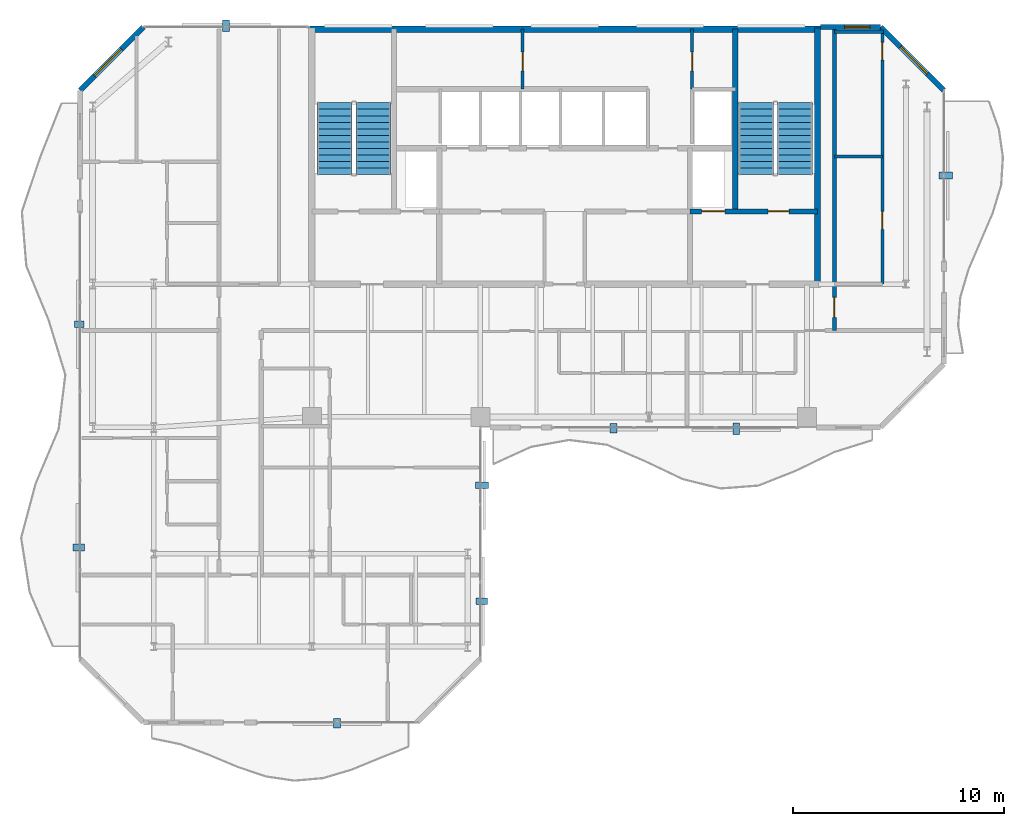
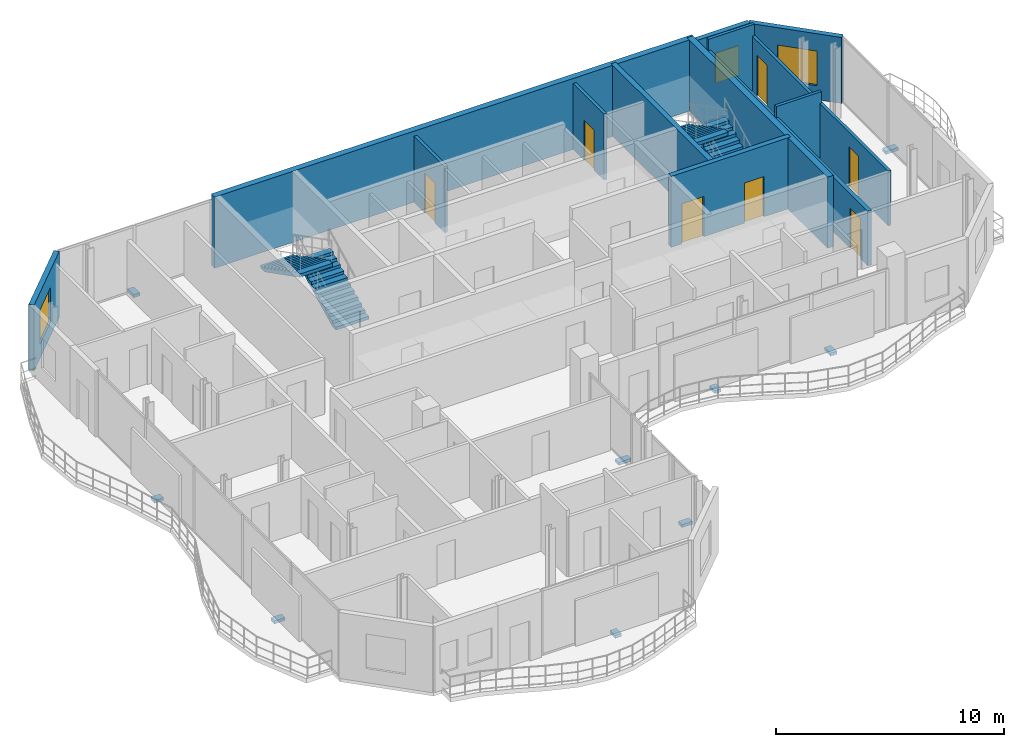
# One storey, part 20 of 22: 13 walls, 9 discrete accessories, 7 doors, 4 stair flights, 3 windows, 10 openings, 2 elements without a shape of their own.
"""IFC4 building model written with IfcOpenShell, lengths in metres."""

from ifc_helpers import new_model, si_unit, direction, frame, frame_2d, origin, origin_2d, place, context, subcontext, project, spatial, polyline, rectangle, outline, extrude, material, layer, layer_set, type_object, element, fill, aggregate, save


model = new_model("IFC4")

# Units and contexts
model_context = context("Model", 3, precision=1e-05, world=origin(), true_north=direction((0.0, 1.0)))
body_context = subcontext(model_context, "Body", "Model", "MODEL_VIEW")
ifc_project = project(units=[si_unit("LENGTHUNIT", "METRE"), si_unit("AREAUNIT", "SQUARE_METRE"), si_unit("VOLUMEUNIT", "CUBIC_METRE"), si_unit("PLANEANGLEUNIT", "RADIAN"), si_unit("MASSUNIT", "GRAM", prefix="KILO")], contexts=[model_context])

# Site, building, storey
site_placement = place(None, origin())
site = spatial("IfcSite", under=ifc_project, at=site_placement, CompositionType="ELEMENT")
building_placement = place(site_placement, origin())
building = spatial("IfcBuilding", under=site, at=building_placement, Name="Catumbela Crestline Tower", CompositionType="ELEMENT")
storey_placement = place(building_placement, frame((0.0, 0.0, 218.4)))
storey = spatial("IfcBuildingStorey", under=building, at=storey_placement, Name="L56", CompositionType="ELEMENT", Elevation=218.4)

# Wall
ifc_material_1 = material(Name="Concrete C50/60", Category="concrete")
ifc_layer_1 = layer(ifc_material_1, 0.25, Name="Concrete C50/60")
ifc_layer_set_1 = layer_set([ifc_layer_1], Name="Concrete C50/60")
wall_type_1 = type_object("IfcWallType", Name="CW-250D", PredefinedType="SHEAR", material=ifc_layer_set_1)
wall_1_placement = place(storey_placement, frame((36.1, 34.25, 0.0), z_axis=(0.0, 0.0, 1.0), x_axis=(0.0, 1.0, 0.0)))
element("IfcWall", 1, at=wall_1_placement, inside=storey, type_object=wall_type_1, Name="L56 Structural Core Shear Wall EWEB", PredefinedType="SHEAR", context=body_context, shape_type="SweptSolid", body=[
    extrude(rectangle(XDim=8.65, YDim=0.25, at=frame_2d((4.325, 0.0))), origin(), (0.0, 0.0, 1.0), 3.8),
])

# Wall, openings, doors
wall_2_placement = place(storey_placement, frame((33.95, 34.25, 0.0), z_axis=(0.0, 0.0, 1.0), x_axis=(1.0, 0.0, 0.0)))
wall_2 = element("IfcWall", 2, at=wall_2_placement, inside=storey, type_object=wall_type_1, Name="L56 Structural Core Shear Wall ST2S", PredefinedType="SHEAR", context=body_context, shape_type="SweptSolid", body=[
    extrude(rectangle(XDim=6.05, YDim=0.25, at=frame_2d((3.025, 0.0))), origin(), (0.0, 0.0, 1.0), 3.8),
])
opening_1_placement = place(wall_2_placement, frame((3.7, 0.0, 0.0)))
opening_1 = element("IfcOpeningElement", 3, at=opening_1_placement, cuts=wall_2, Name="Opening DF9-100", PredefinedType="OPENING", context=body_context, shape_type="SweptSolid", body=[
    extrude(rectangle(XDim=1.0, YDim=2.15, at=frame_2d((0.5, 1.075))), frame((0.0, 0.135, 0.0), z_axis=(0.0, -1.0, 0.0), x_axis=(1.0, 0.0, 0.0)), (0.0, 0.0, 1.0), 0.27),
])
opening_2_placement = place(wall_2_placement, frame((0.55, 0.0, 0.0)))
opening_2 = element("IfcOpeningElement", 4, at=opening_2_placement, cuts=wall_2, Name="Opening LD-110", PredefinedType="OPENING", context=body_context, shape_type="SweptSolid", body=[
    extrude(rectangle(XDim=1.1, YDim=2.15, at=frame_2d((0.55, 1.075))), frame((0.0, 0.135, 0.0), z_axis=(0.0, -1.0, 0.0), x_axis=(1.0, 0.0, 0.0)), (0.0, 0.0, 1.0), 0.27),
])
ifc_material_2 = material(Name="Stainless steel EN 1.4401", Category="steel")
door_type_1 = type_object("IfcDoorType", Name="DF9-100", OperationType="NOTDEFINED", PredefinedType="DOOR", material=ifc_material_2)
door_1_placement = place(opening_1_placement, origin())
door_1 = element("IfcDoor", 5, at=door_1_placement, inside=storey, type_object=door_type_1, Name="L56 Interior Door DR-L56-ST02", OperationType="SINGLE_SWING_RIGHT", OverallHeight=2.15, OverallWidth=1.0, PredefinedType="DOOR", context=body_context, shape_type="SweptSolid", body=[
    extrude(rectangle(XDim=1.0, YDim=2.15, at=frame_2d((0.5, 1.075))), frame((0.0, 0.025, 0.0), z_axis=(0.0, -1.0, 0.0), x_axis=(1.0, 0.0, 0.0)), (0.0, 0.0, 1.0), 0.05),
])
fill(opening_1, door_1)
door_type_2 = type_object("IfcDoorType", Name="LD-110", OperationType="NOTDEFINED", PredefinedType="DOOR", material=ifc_material_2)
door_2_placement = place(opening_2_placement, origin())
door_2 = element("IfcDoor", 6, at=door_2_placement, inside=storey, type_object=door_type_2, Name="L56 Lift Landing Sliding Door FL-02", OperationType="DOUBLE_DOOR_SLIDING", OverallHeight=2.15, OverallWidth=1.1, PredefinedType="DOOR", context=body_context, shape_type="SweptSolid", body=[
    extrude(rectangle(XDim=1.1, YDim=2.15, at=frame_2d((0.55, 1.075))), frame((0.0, 0.025, 0.0), z_axis=(0.0, -1.0, 0.0), x_axis=(1.0, 0.0, 0.0)), (0.0, 0.0, 1.0), 0.05),
])
fill(opening_2, door_2)

# Walls
ifc_material_3 = material(Name="Concrete C45/55", Category="concrete")
ifc_layer_2 = layer(ifc_material_3, 0.3, Name="Concrete C45/55")
ifc_layer_set_2 = layer_set([ifc_layer_2], Name="Concrete C45/55")
wall_type_2 = type_object("IfcWallType", Name="CW-300C", PredefinedType="SHEAR", material=ifc_layer_set_2)
wall_3_placement = place(storey_placement, frame((40.0, 30.65, 0.0), z_axis=(0.0, 0.0, 1.0), x_axis=(0.0, 1.0, 0.0)))
element("IfcWall", 7, at=wall_3_placement, inside=storey, type_object=wall_type_2, Name="L56 Structural Core Shear Wall E", PredefinedType="SHEAR", context=body_context, shape_type="SweptSolid", body=[
    extrude(rectangle(XDim=12.3, YDim=0.3, at=frame_2d((6.15, 0.0))), origin(), (0.0, 0.0, 1.0), 3.8),
])
ifc_layer_3 = layer(ifc_material_3, 0.3, Name="Concrete C45/55")
ifc_layer_set_3 = layer_set([ifc_layer_3], Name="Concrete C45/55")
wall_type_3 = type_object("IfcWallType", Name="CW-300E", PredefinedType="SHEAR", material=ifc_layer_set_3)
wall_4_placement = place(storey_placement, frame((15.85, 42.9, 0.0), z_axis=(0.0, 0.0, 1.0), x_axis=(1.0, 0.0, 0.0)))
element("IfcWall", 8, at=wall_4_placement, inside=storey, type_object=wall_type_3, Name="L56 Structural Core Shear Wall N", PredefinedType="SHEAR", context=body_context, shape_type="SweptSolid", body=[
    extrude(rectangle(XDim=24.3, YDim=0.3, at=frame_2d((12.15, 0.0))), origin(), (0.0, 0.0, 1.0), 3.8),
])

# Wall, opening, door
ifc_material_4 = material(Name="Acoustic gypsum and mineral-wool partition")
ifc_layer_4 = layer(ifc_material_4, 0.2, Name="Acoustic gypsum and mineral-wool partition")
ifc_layer_set_4 = layer_set([ifc_layer_4], Name="Acoustic gypsum and mineral-wool partition")
wall_type_4 = type_object("IfcWallType", Name="WC-200", PredefinedType="PARTITIONING", material=ifc_layer_set_4)
wall_5_placement = place(storey_placement, frame((40.8, 28.6, 0.0), z_axis=(0.0, 0.0, 1.0), x_axis=(0.0, 1.0, 0.0)))
wall_5 = element("IfcWall", 9, at=wall_5_placement, inside=storey, type_object=wall_type_4, Name="L56 Interior Partition PW-L56-NE1-ENT", PredefinedType="PARTITIONING", context=body_context, shape_type="SweptSolid", body=[
    extrude(rectangle(XDim=14.3, YDim=0.2, at=frame_2d((7.15, 0.0))), origin(), (0.0, 0.0, 1.0), 2.92),
])
opening_3_placement = place(wall_5_placement, frame((0.625, 0.0, 0.0)))
opening_3 = element("IfcOpeningElement", 10, at=opening_3_placement, cuts=wall_5, Name="Opening DF6-095", PredefinedType="OPENING", context=body_context, shape_type="SweptSolid", body=[
    extrude(rectangle(XDim=0.95, YDim=2.15, at=frame_2d((0.475, 1.075))), frame((0.0, 0.11, 0.0), z_axis=(0.0, -1.0, 0.0), x_axis=(1.0, 0.0, 0.0)), (0.0, 0.0, 1.0), 0.22),
])
ifc_material_5 = material(Name="Aluminium alloy AW-6060-T66", Category="aluminium")
door_type_3 = type_object("IfcDoorType", Name="DF6-095", OperationType="NOTDEFINED", PredefinedType="DOOR", material=ifc_material_5)
door_3_placement = place(opening_3_placement, origin())
door_3 = element("IfcDoor", 11, at=door_3_placement, inside=storey, type_object=door_type_3, Name="L56 Interior Door DR-L56-NE1-ENT", OperationType="SINGLE_SWING_LEFT", OverallHeight=2.15, OverallWidth=0.95, PredefinedType="DOOR", context=body_context, shape_type="SweptSolid", body=[
    extrude(rectangle(XDim=0.95, YDim=2.15, at=frame_2d((0.475, 1.075))), frame((0.0, 0.025, 0.0), z_axis=(0.0, -1.0, 0.0), x_axis=(1.0, 0.0, 0.0)), (0.0, 0.0, 1.0), 0.05),
])
fill(opening_3, door_3)

# Wall, opening, window
ifc_material_6 = material(Name="Angolan grey-ochre granite", Category="masonry")
ifc_layer_5 = layer(ifc_material_6, 0.25, Name="Angolan grey-ochre granite")
ifc_layer_set_5 = layer_set([ifc_layer_5], Name="Angolan grey-ochre granite")
wall_type_5 = type_object("IfcWallType", Name="WE-250", PredefinedType="STANDARD", material=ifc_layer_set_5)
wall_6_placement = place(storey_placement, frame((46.0, 40.0, 0.0), z_axis=(0.0, 0.0, 1.0), x_axis=(-0.707106781187, 0.707106781187, 0.0)))
wall_6 = element("IfcWall", 12, at=wall_6_placement, inside=storey, type_object=wall_type_5, Name="L56 Granite Punched Window Wall 6-1", PredefinedType="STANDARD", context=body_context, shape_type="SweptSolid", body=[
    extrude(rectangle(XDim=4.2426, YDim=0.25, at=frame_2d((2.1213, 0.0))), origin(), (0.0, 0.0, 1.0), 3.53),
])
opening_4_placement = place(wall_6_placement, frame((1.1111, 0.0, 0.75)))
opening_4 = element("IfcOpeningElement", 13, at=opening_4_placement, cuts=wall_6, Name="Opening WN-01", PredefinedType="OPENING", context=body_context, shape_type="SweptSolid", body=[
    extrude(rectangle(XDim=1.8, YDim=1.85, at=frame_2d((0.9, 0.925))), frame((0.0, 0.135, 0.0), z_axis=(0.0, -1.0, 0.0), x_axis=(1.0, 0.0, 0.0)), (0.0, 0.0, 1.0), 0.27),
])
ifc_material_7 = material(Name="Low-E laminated solar-control double glazing", Category="glass")
window_type_1 = type_object("IfcWindowType", Name="WF-1800", PartitioningType="SINGLE_PANEL", PredefinedType="WINDOW", material=ifc_material_7)
window_1_placement = place(opening_4_placement, origin())
window_1 = element("IfcWindow", 14, at=window_1_placement, inside=storey, type_object=window_type_1, Name="L56 Facade Vision Window 385", OverallHeight=1.85, OverallWidth=1.8, PartitioningType="SINGLE_PANEL", PredefinedType="WINDOW", context=body_context, shape_type="SweptSolid", body=[
    extrude(rectangle(XDim=1.8, YDim=1.85, at=frame_2d((0.9, 0.925))), frame((0.0, 0.03, 0.0), z_axis=(0.0, -1.0, 0.0), x_axis=(1.0, 0.0, 0.0)), (0.0, 0.0, 1.0), 0.06),
])
fill(opening_4, window_1)

wall_7_placement = place(storey_placement, frame((43.0, 43.0, 0.0), z_axis=(0.0, 0.0, 1.0), x_axis=(-1.0, 0.0, 0.0)))
wall_7 = element("IfcWall", 15, at=wall_7_placement, inside=storey, type_object=wall_type_5, Name="L56 Granite Punched Window Wall 7-1", PredefinedType="STANDARD", context=body_context, shape_type="SweptSolid", body=[
    extrude(rectangle(XDim=2.86, YDim=0.25, at=frame_2d((1.43, 0.0))), origin(), (0.0, 0.0, 1.0), 3.53),
])
opening_5_placement = place(wall_7_placement, frame((0.51, 0.0, 0.85)))
opening_5 = element("IfcOpeningElement", 16, at=opening_5_placement, cuts=wall_7, Name="Opening WN-02", PredefinedType="OPENING", context=body_context, shape_type="SweptSolid", body=[
    extrude(rectangle(XDim=1.2, YDim=1.6, at=frame_2d((0.6, 0.8))), frame((0.0, 0.135, 0.0), z_axis=(0.0, -1.0, 0.0), x_axis=(1.0, 0.0, 0.0)), (0.0, 0.0, 1.0), 0.27),
])
window_type_2 = type_object("IfcWindowType", Name="WO-1200", PartitioningType="SINGLE_PANEL", PredefinedType="WINDOW", material=ifc_material_7)
window_2_placement = place(opening_5_placement, origin())
window_2 = element("IfcWindow", 17, at=window_2_placement, inside=storey, type_object=window_type_2, Name="L56 Facade Vision Window 386", OverallHeight=1.6, OverallWidth=1.2, PartitioningType="SINGLE_PANEL", PredefinedType="WINDOW", context=body_context, shape_type="SweptSolid", body=[
    extrude(rectangle(XDim=1.2, YDim=1.6, at=frame_2d((0.6, 0.8))), frame((0.0, 0.03, 0.0), z_axis=(0.0, -1.0, 0.0), x_axis=(1.0, 0.0, 0.0)), (0.0, 0.0, 1.0), 0.06),
])
fill(opening_5, window_2)

wall_8_placement = place(storey_placement, frame((8.0, 43.0, 0.0), z_axis=(0.0, 0.0, 1.0), x_axis=(-0.707106781187, -0.707106781187, 0.0)))
wall_8 = element("IfcWall", 18, at=wall_8_placement, inside=storey, type_object=wall_type_5, Name="L56 Granite Punched Window Wall 8-1", PredefinedType="STANDARD", context=body_context, shape_type="SweptSolid", body=[
    extrude(rectangle(XDim=4.2426, YDim=0.25, at=frame_2d((2.1213, 0.0))), origin(), (0.0, 0.0, 1.0), 3.53),
])
opening_6_placement = place(wall_8_placement, frame((1.4729, 0.0, 0.75)))
opening_6 = element("IfcOpeningElement", 19, at=opening_6_placement, cuts=wall_8, Name="Opening WN-01", PredefinedType="OPENING", context=body_context, shape_type="SweptSolid", body=[
    extrude(rectangle(XDim=1.8, YDim=1.85, at=frame_2d((0.9, 0.925))), frame((0.0, 0.135, 0.0), z_axis=(0.0, -1.0, 0.0), x_axis=(1.0, 0.0, 0.0)), (0.0, 0.0, 1.0), 0.27),
])
window_3_placement = place(opening_6_placement, origin())
window_3 = element("IfcWindow", 20, at=window_3_placement, inside=storey, type_object=window_type_1, Name="L56 Facade Vision Window 387", OverallHeight=1.85, OverallWidth=1.8, PartitioningType="SINGLE_PANEL", PredefinedType="WINDOW", context=body_context, shape_type="SweptSolid", body=[
    extrude(rectangle(XDim=1.8, YDim=1.85, at=frame_2d((0.9, 0.925))), frame((0.0, 0.03, 0.0), z_axis=(0.0, -1.0, 0.0), x_axis=(1.0, 0.0, 0.0)), (0.0, 0.0, 1.0), 0.06),
])
fill(opening_6, window_3)

# Wall, opening, door
ifc_layer_6 = layer(ifc_material_4, 0.15, Name="Acoustic gypsum and mineral-wool partition")
ifc_layer_set_6 = layer_set([ifc_layer_6], Name="Acoustic gypsum and mineral-wool partition")
wall_type_6 = type_object("IfcWallType", Name="WP-150", PredefinedType="PARTITIONING", material=ifc_layer_set_6)
wall_9_placement = place(storey_placement, frame((34.05, 40.05, 0.0), z_axis=(0.0, 0.0, 1.0), x_axis=(0.0, 1.0, 0.0)))
wall_9 = element("IfcWall", 21, at=wall_9_placement, inside=storey, type_object=wall_type_6, Name="L56 Interior Partition PW-L56-CR-EW", PredefinedType="PARTITIONING", context=body_context, shape_type="SweptSolid", body=[
    extrude(rectangle(XDim=2.85, YDim=0.15, at=frame_2d((1.425, 0.0))), origin(), (0.0, 0.0, 1.0), 3.53),
])
opening_7_placement = place(wall_9_placement, frame((0.865, 0.0, 0.0)))
opening_7 = element("IfcOpeningElement", 22, at=opening_7_placement, cuts=wall_9, Name="Opening DF9-090", PredefinedType="OPENING", context=body_context, shape_type="SweptSolid", body=[
    extrude(rectangle(XDim=0.9, YDim=2.15, at=frame_2d((0.45, 1.075))), frame((0.0, 0.085, 0.0), z_axis=(0.0, -1.0, 0.0), x_axis=(1.0, 0.0, 0.0)), (0.0, 0.0, 1.0), 0.17),
])
door_type_4 = type_object("IfcDoorType", Name="DF9-090", OperationType="NOTDEFINED", PredefinedType="DOOR", material=ifc_material_2)
door_4_placement = place(opening_7_placement, origin())
door_4 = element("IfcDoor", 23, at=door_4_placement, inside=storey, type_object=door_type_4, Name="L56 Interior Door DR-L56-CREAST", OperationType="SINGLE_SWING_RIGHT", OverallHeight=2.15, OverallWidth=0.9, PredefinedType="DOOR", context=body_context, shape_type="SweptSolid", body=[
    extrude(rectangle(XDim=0.9, YDim=2.15, at=frame_2d((0.45, 1.075))), frame((0.0, 0.025, 0.0), z_axis=(0.0, -1.0, 0.0), x_axis=(1.0, 0.0, 0.0)), (0.0, 0.0, 1.0), 0.05),
])
fill(opening_7, door_4)

wall_10_placement = place(storey_placement, frame((26.0, 40.05, 0.0), z_axis=(0.0, 0.0, 1.0), x_axis=(0.0, 1.0, 0.0)))
wall_10 = element("IfcWall", 24, at=wall_10_placement, inside=storey, type_object=wall_type_6, Name="L56 Interior Partition PW-L56-CR-WW", PredefinedType="PARTITIONING", context=body_context, shape_type="SweptSolid", body=[
    extrude(rectangle(XDim=2.85, YDim=0.15, at=frame_2d((1.425, 0.0))), origin(), (0.0, 0.0, 1.0), 3.53),
])
opening_8_placement = place(wall_10_placement, frame((0.865, 0.0, 0.0)))
opening_8 = element("IfcOpeningElement", 25, at=opening_8_placement, cuts=wall_10, Name="Opening DF9-090", PredefinedType="OPENING", context=body_context, shape_type="SweptSolid", body=[
    extrude(rectangle(XDim=0.9, YDim=2.15, at=frame_2d((0.45, 1.075))), frame((0.0, 0.085, 0.0), z_axis=(0.0, -1.0, 0.0), x_axis=(1.0, 0.0, 0.0)), (0.0, 0.0, 1.0), 0.17),
])
door_5_placement = place(opening_8_placement, origin())
door_5 = element("IfcDoor", 26, at=door_5_placement, inside=storey, type_object=door_type_4, Name="L56 Interior Door DR-L56-CRWEST", OperationType="SINGLE_SWING_LEFT", OverallHeight=2.15, OverallWidth=0.9, PredefinedType="DOOR", context=body_context, shape_type="SweptSolid", body=[
    extrude(rectangle(XDim=0.9, YDim=2.15, at=frame_2d((0.45, 1.075))), frame((0.0, 0.025, 0.0), z_axis=(0.0, -1.0, 0.0), x_axis=(1.0, 0.0, 0.0)), (0.0, 0.0, 1.0), 0.05),
])
fill(opening_8, door_5)

# Wall
wall_11_placement = place(storey_placement, frame((40.8, 36.85, 0.0), z_axis=(0.0, 0.0, 1.0), x_axis=(1.0, 0.0, 0.0)))
element("IfcWall", 27, at=wall_11_placement, inside=storey, type_object=wall_type_6, Name="L56 Interior Partition PW-L56-NE1-KBM", PredefinedType="PARTITIONING", context=body_context, shape_type="SweptSolid", body=[
    extrude(rectangle(XDim=2.28, YDim=0.15, at=frame_2d((1.14, 0.0))), origin(), (0.0, 0.0, 1.0), 3.53),
])

# Wall, openings, doors
wall_12_placement = place(storey_placement, frame((43.08, 30.8, 0.0), z_axis=(0.0, 0.0, 1.0), x_axis=(0.0, 1.0, 0.0)))
wall_12 = element("IfcWall", 28, at=wall_12_placement, inside=storey, type_object=wall_type_6, Name="L56 Interior Partition PW-L56-NE1-SK1", PredefinedType="PARTITIONING", context=body_context, shape_type="SweptSolid", body=[
    extrude(rectangle(XDim=12.02, YDim=0.15, at=frame_2d((6.01, 0.0))), origin(), (0.0, 0.0, 1.0), 2.92),
])
opening_9_placement = place(wall_12_placement, frame((2.6, 0.0, 0.0)))
opening_9 = element("IfcOpeningElement", 29, at=opening_9_placement, cuts=wall_12, Name="Opening DI-085", PredefinedType="OPENING", context=body_context, shape_type="SweptSolid", body=[
    extrude(rectangle(XDim=0.85, YDim=2.15, at=frame_2d((0.425, 1.075))), frame((0.0, 0.085, 0.0), z_axis=(0.0, -1.0, 0.0), x_axis=(1.0, 0.0, 0.0)), (0.0, 0.0, 1.0), 0.17),
])
opening_10_placement = place(wall_12_placement, frame((10.6287, 0.0, 0.0)))
opening_10 = element("IfcOpeningElement", 30, at=opening_10_placement, cuts=wall_12, Name="Opening DI-085", PredefinedType="OPENING", context=body_context, shape_type="SweptSolid", body=[
    extrude(rectangle(XDim=0.85, YDim=2.15, at=frame_2d((0.425, 1.075))), frame((0.0, 0.085, 0.0), z_axis=(0.0, -1.0, 0.0), x_axis=(1.0, 0.0, 0.0)), (0.0, 0.0, 1.0), 0.17),
])
door_type_5 = type_object("IfcDoorType", Name="DI-085", OperationType="NOTDEFINED", PredefinedType="DOOR", material=ifc_material_5)
door_6_placement = place(opening_9_placement, origin())
door_6 = element("IfcDoor", 31, at=door_6_placement, inside=storey, type_object=door_type_5, Name="L56 Interior Door DR-L56-NE1-KIT", OperationType="SINGLE_SWING_LEFT", OverallHeight=2.15, OverallWidth=0.85, PredefinedType="DOOR", context=body_context, shape_type="SweptSolid", body=[
    extrude(rectangle(XDim=0.85, YDim=2.15, at=frame_2d((0.425, 1.075))), frame((0.0, 0.025, 0.0), z_axis=(0.0, -1.0, 0.0), x_axis=(1.0, 0.0, 0.0)), (0.0, 0.0, 1.0), 0.05),
])
fill(opening_9, door_6)
door_7_placement = place(opening_10_placement, origin())
door_7 = element("IfcDoor", 32, at=door_7_placement, inside=storey, type_object=door_type_5, Name="L56 Interior Door DR-L56-NE1-BTH", OperationType="SINGLE_SWING_RIGHT", OverallHeight=2.15, OverallWidth=0.85, PredefinedType="DOOR", context=body_context, shape_type="SweptSolid", body=[
    extrude(rectangle(XDim=0.85, YDim=2.15, at=frame_2d((0.425, 1.075))), frame((0.0, 0.025, 0.0), z_axis=(0.0, -1.0, 0.0), x_axis=(1.0, 0.0, 0.0)), (0.0, 0.0, 1.0), 0.05),
])
fill(opening_10, door_7)

# Wall
wall_13_placement = place(storey_placement, frame((40.8, 42.78, 0.0), z_axis=(0.0, 0.0, 1.0), x_axis=(1.0, 0.0, 0.0)))
element("IfcWall", 33, at=wall_13_placement, inside=storey, type_object=wall_type_6, Name="L56 Interior Partition PW-L56-NE1-BTH-BCL-2", PredefinedType="PARTITIONING", context=body_context, shape_type="SweptSolid", body=[
    extrude(rectangle(XDim=2.32, YDim=0.15, at=frame_2d((1.16, 0.0))), origin(), (0.0, 0.0, 1.0), 3.53),
])

# Stair, stair flights
stair_type = type_object("IfcStairType", Name="ST-DLG", PredefinedType="HALF_TURN_STAIR", material=ifc_material_3)
stair_1_placement = place(storey_placement, origin())
stair_1 = element("IfcStair", 34, at=stair_1_placement, inside=storey, type_object=stair_type, Name="L56 West Core Pressurised Exit Stair ST-01", PredefinedType="HALF_TURN_STAIR")
stair_flight_type = type_object("IfcStairFlightType", Name="SF-1583", PredefinedType="STRAIGHT", material=ifc_material_3)
stair_flight_1_placement = place(storey_placement, frame((18.92, 36.0, 0.0), z_axis=(0.0, 0.0, 1.0), x_axis=(0.0, 1.0, 0.0)))
stair_flight_1 = element("IfcStairFlight", 35, at=stair_flight_1_placement, type_object=stair_flight_type, Name="ST-01 flight 1", NumberOfRisers=12, NumberOfTreads=11, PredefinedType="STRAIGHT", RiserHeight=0.158333333, TreadLength=0.31, context=body_context, shape_type="SweptSolid", body=[
    extrude(outline(polyline([(0.0, 0.0), (0.0, 0.1583), (0.31, 0.1583), (0.31, 0.3167), (0.62, 0.3167), (0.62, 0.475), (0.93, 0.475), (0.93, 0.6333), (1.24, 0.6333), (1.24, 0.7917), (1.55, 0.7917), (1.55, 0.95), (1.86, 0.95), (1.86, 1.1083), (2.17, 1.1083), (2.17, 1.2667), (2.48, 1.2667), (2.48, 1.425), (2.79, 1.425), (2.79, 1.5833), (3.1, 1.5833), (3.1, 1.7417), (3.41, 1.7417), (3.41, 1.9), (3.41, 1.562), (0.3518, 0.0), (0.0, 0.0)])), frame((0.0, 0.83, 0.0), z_axis=(0.0, -1.0, 0.0), x_axis=(1.0, 0.0, 0.0)), (0.0, 0.0, 1.0), 1.66),
])
stair_flight_2_placement = place(storey_placement, frame((17.08, 39.41, 1.9), z_axis=(0.0, 0.0, 1.0), x_axis=(0.0, -1.0, 0.0)))
stair_flight_2 = element("IfcStairFlight", 36, at=stair_flight_2_placement, type_object=stair_flight_type, Name="ST-01 flight 2", NumberOfRisers=12, NumberOfTreads=11, PredefinedType="STRAIGHT", RiserHeight=0.158333333, TreadLength=0.31, context=body_context, shape_type="SweptSolid", body=[
    extrude(outline(polyline([(0.0, 0.0), (0.0, 0.1583), (0.31, 0.1583), (0.31, 0.3167), (0.62, 0.3167), (0.62, 0.475), (0.93, 0.475), (0.93, 0.6333), (1.24, 0.6333), (1.24, 0.7917), (1.55, 0.7917), (1.55, 0.95), (1.86, 0.95), (1.86, 1.1083), (2.17, 1.1083), (2.17, 1.2667), (2.48, 1.2667), (2.48, 1.425), (2.79, 1.425), (2.79, 1.5833), (3.1, 1.5833), (3.1, 1.7417), (3.41, 1.7417), (3.41, 1.9), (3.41, 1.562), (0.3518, 0.0), (0.0, 0.0)])), frame((0.0, 0.83, 0.0), z_axis=(0.0, -1.0, 0.0), x_axis=(1.0, 0.0, 0.0)), (0.0, 0.0, 1.0), 1.66),
])
aggregate(stair_1, [stair_flight_1, stair_flight_2])

stair_2_placement = place(storey_placement, origin())
stair_2 = element("IfcStair", 37, at=stair_2_placement, inside=storey, type_object=stair_type, Name="L56 East Core Pressurised Exit Stair ST-02", PredefinedType="HALF_TURN_STAIR")
stair_flight_3_placement = place(storey_placement, frame((38.92, 36.0, 0.0), z_axis=(0.0, 0.0, 1.0), x_axis=(0.0, 1.0, 0.0)))
stair_flight_3 = element("IfcStairFlight", 38, at=stair_flight_3_placement, type_object=stair_flight_type, Name="ST-02 flight 1", NumberOfRisers=12, NumberOfTreads=11, PredefinedType="STRAIGHT", RiserHeight=0.158333333, TreadLength=0.31, context=body_context, shape_type="SweptSolid", body=[
    extrude(outline(polyline([(0.0, 0.0), (0.0, 0.1583), (0.31, 0.1583), (0.31, 0.3167), (0.62, 0.3167), (0.62, 0.475), (0.93, 0.475), (0.93, 0.6333), (1.24, 0.6333), (1.24, 0.7917), (1.55, 0.7917), (1.55, 0.95), (1.86, 0.95), (1.86, 1.1083), (2.17, 1.1083), (2.17, 1.2667), (2.48, 1.2667), (2.48, 1.425), (2.79, 1.425), (2.79, 1.5833), (3.1, 1.5833), (3.1, 1.7417), (3.41, 1.7417), (3.41, 1.9), (3.41, 1.562), (0.3518, 0.0), (0.0, 0.0)])), frame((0.0, 0.83, 0.0), z_axis=(0.0, -1.0, 0.0), x_axis=(1.0, 0.0, 0.0)), (0.0, 0.0, 1.0), 1.66),
])
stair_flight_4_placement = place(storey_placement, frame((37.08, 39.41, 1.9), z_axis=(0.0, 0.0, 1.0), x_axis=(0.0, -1.0, 0.0)))
stair_flight_4 = element("IfcStairFlight", 39, at=stair_flight_4_placement, type_object=stair_flight_type, Name="ST-02 flight 2", NumberOfRisers=12, NumberOfTreads=11, PredefinedType="STRAIGHT", RiserHeight=0.158333333, TreadLength=0.31, context=body_context, shape_type="SweptSolid", body=[
    extrude(outline(polyline([(0.0, 0.0), (0.0, 0.1583), (0.31, 0.1583), (0.31, 0.3167), (0.62, 0.3167), (0.62, 0.475), (0.93, 0.475), (0.93, 0.6333), (1.24, 0.6333), (1.24, 0.7917), (1.55, 0.7917), (1.55, 0.95), (1.86, 0.95), (1.86, 1.1083), (2.17, 1.1083), (2.17, 1.2667), (2.48, 1.2667), (2.48, 1.425), (2.79, 1.425), (2.79, 1.5833), (3.1, 1.5833), (3.1, 1.7417), (3.41, 1.7417), (3.41, 1.9), (3.41, 1.562), (0.3518, 0.0), (0.0, 0.0)])), frame((0.0, 0.83, 0.0), z_axis=(0.0, -1.0, 0.0), x_axis=(1.0, 0.0, 0.0)), (0.0, 0.0, 1.0), 1.66),
])
aggregate(stair_2, [stair_flight_3, stair_flight_4])

# Discrete accessories
discrete_accessory_type = type_object("IfcDiscreteAccessoryType", Name="BK-SS1", PredefinedType="BRACKET", material=ifc_material_2)
discrete_accessory_1_placement = place(storey_placement, frame((17.2, 9.955, -0.18), z_axis=(0.0, 0.0, 1.0), x_axis=(1.0, 0.0, 0.0)))
element("IfcDiscreteAccessory", 40, at=discrete_accessory_1_placement, inside=storey, type_object=discrete_accessory_type, Name="L56 Solar Screen Stainless Bracket 661", PredefinedType="BRACKET", context=body_context, shape_type="SweptSolid", body=[
    extrude(rectangle(XDim=0.32, YDim=0.46, at=origin_2d()), origin(), (0.0, 0.0, 1.0), 0.16),
])
discrete_accessory_2_placement = place(storey_placement, frame((24.065, 15.75, -0.18), z_axis=(0.0, 0.0, 1.0), x_axis=(0.0, 1.0, 0.0)))
element("IfcDiscreteAccessory", 41, at=discrete_accessory_2_placement, inside=storey, type_object=discrete_accessory_type, Name="L56 Solar Screen Stainless Bracket 662", PredefinedType="BRACKET", context=body_context, shape_type="SweptSolid", body=[
    extrude(rectangle(XDim=0.32, YDim=0.54, at=origin_2d()), origin(), (0.0, 0.0, 1.0), 0.16),
])
discrete_accessory_3_placement = place(storey_placement, frame((24.085, 21.25, -0.18), z_axis=(0.0, 0.0, 1.0), x_axis=(0.0, 1.0, 0.0)))
element("IfcDiscreteAccessory", 42, at=discrete_accessory_3_placement, inside=storey, type_object=discrete_accessory_type, Name="L56 Solar Screen Stainless Bracket 663", PredefinedType="BRACKET", context=body_context, shape_type="SweptSolid", body=[
    extrude(rectangle(XDim=0.32, YDim=0.62, at=origin_2d()), origin(), (0.0, 0.0, 1.0), 0.16),
])
discrete_accessory_4_placement = place(storey_placement, frame((30.3125, 23.955, -0.18), z_axis=(0.0, 0.0, 1.0), x_axis=(1.0, 0.0, 0.0)))
element("IfcDiscreteAccessory", 43, at=discrete_accessory_4_placement, inside=storey, type_object=discrete_accessory_type, Name="L56 Solar Screen Stainless Bracket 664", PredefinedType="BRACKET", context=body_context, shape_type="SweptSolid", body=[
    extrude(rectangle(XDim=0.32, YDim=0.46, at=origin_2d()), origin(), (0.0, 0.0, 1.0), 0.16),
])
discrete_accessory_5_placement = place(storey_placement, frame((36.1375, 23.935, -0.18), z_axis=(0.0, 0.0, 1.0), x_axis=(1.0, 0.0, 0.0)))
element("IfcDiscreteAccessory", 44, at=discrete_accessory_5_placement, inside=storey, type_object=discrete_accessory_type, Name="L56 Solar Screen Stainless Bracket 665", PredefinedType="BRACKET", context=body_context, shape_type="SweptSolid", body=[
    extrude(rectangle(XDim=0.32, YDim=0.54, at=origin_2d()), origin(), (0.0, 0.0, 1.0), 0.16),
])
discrete_accessory_6_placement = place(storey_placement, frame((46.085, 35.95, -0.18), z_axis=(0.0, 0.0, 1.0), x_axis=(0.0, 1.0, 0.0)))
element("IfcDiscreteAccessory", 45, at=discrete_accessory_6_placement, inside=storey, type_object=discrete_accessory_type, Name="L56 Solar Screen Stainless Bracket 666", PredefinedType="BRACKET", context=body_context, shape_type="SweptSolid", body=[
    extrude(rectangle(XDim=0.32, YDim=0.62, at=origin_2d()), origin(), (0.0, 0.0, 1.0), 0.16),
])
discrete_accessory_7_placement = place(storey_placement, frame((11.93, 43.065, -0.18), z_axis=(0.0, 0.0, 1.0), x_axis=(-1.0, 0.0, 0.0)))
element("IfcDiscreteAccessory", 46, at=discrete_accessory_7_placement, inside=storey, type_object=discrete_accessory_type, Name="L56 Solar Screen Stainless Bracket 667", PredefinedType="BRACKET", context=body_context, shape_type="SweptSolid", body=[
    extrude(rectangle(XDim=0.32, YDim=0.54, at=origin_2d()), origin(), (0.0, 0.0, 1.0), 0.16),
])
discrete_accessory_8_placement = place(storey_placement, frame((4.955, 28.9, -0.18), z_axis=(0.0, 0.0, 1.0), x_axis=(0.0, -1.0, 0.0)))
element("IfcDiscreteAccessory", 47, at=discrete_accessory_8_placement, inside=storey, type_object=discrete_accessory_type, Name="L56 Solar Screen Stainless Bracket 668", PredefinedType="BRACKET", context=body_context, shape_type="SweptSolid", body=[
    extrude(rectangle(XDim=0.32, YDim=0.46, at=origin_2d()), origin(), (0.0, 0.0, 1.0), 0.16),
])
discrete_accessory_9_placement = place(storey_placement, frame((4.935, 18.3, -0.18), z_axis=(0.0, 0.0, 1.0), x_axis=(0.0, -1.0, 0.0)))
element("IfcDiscreteAccessory", 48, at=discrete_accessory_9_placement, inside=storey, type_object=discrete_accessory_type, Name="L56 Solar Screen Stainless Bracket 669", PredefinedType="BRACKET", context=body_context, shape_type="SweptSolid", body=[
    extrude(rectangle(XDim=0.32, YDim=0.54, at=origin_2d()), origin(), (0.0, 0.0, 1.0), 0.16),
])

save(model, "model.ifc")
